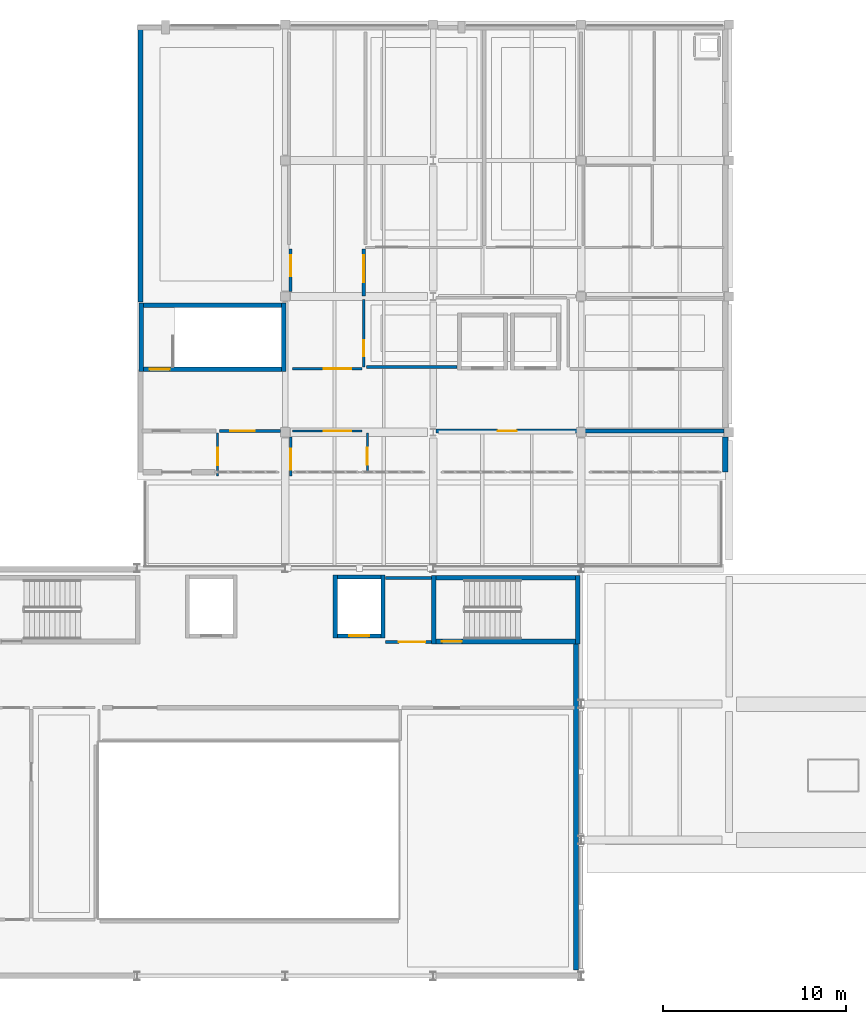
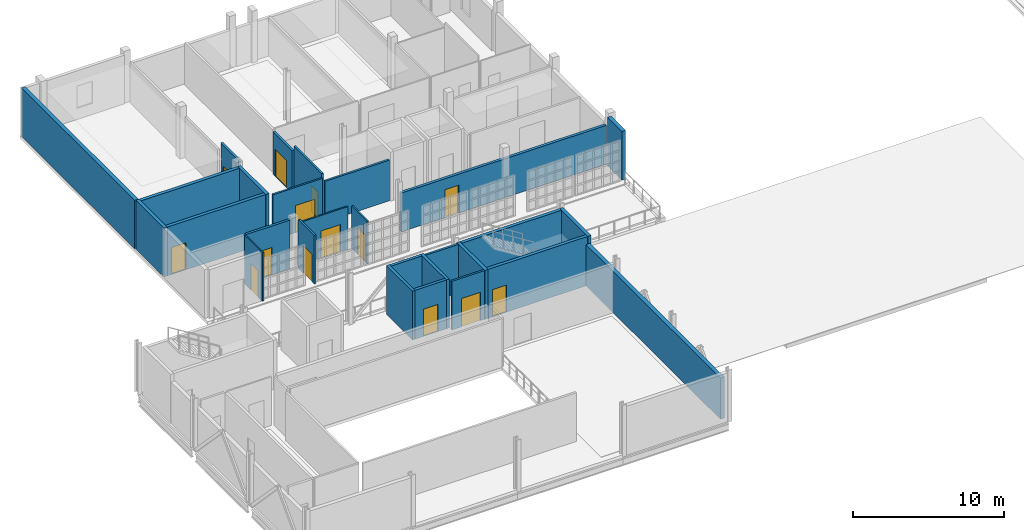
# One storey, part 19 of 25: 28 walls, 14 doors, 14 openings.
"""IFC4 building model written with IfcOpenShell, lengths in metres."""

from ifc_helpers import new_model, si_unit, direction, frame, frame_2d, origin, place, context, subcontext, project, spatial, rectangle, extrude, material, layer, layer_set, type_object, element, fill, save


model = new_model("IFC4")

# Units and contexts
model_context = context("Model", 3, precision=1e-05, world=origin(), true_north=direction((0.0, 1.0)))
body_context = subcontext(model_context, "Body", "Model", "MODEL_VIEW")
ifc_project = project(units=[si_unit("LENGTHUNIT", "METRE"), si_unit("AREAUNIT", "SQUARE_METRE"), si_unit("VOLUMEUNIT", "CUBIC_METRE"), si_unit("PLANEANGLEUNIT", "RADIAN"), si_unit("MASSUNIT", "GRAM", prefix="KILO")], contexts=[model_context])

# Site, building, storey
site_placement = place(None, origin())
site = spatial("IfcSite", under=ifc_project, at=site_placement, CompositionType="ELEMENT")
building_placement = place(site_placement, origin())
building = spatial("IfcBuilding", under=site, at=building_placement, Name="Kaelora Sail Theatre", CompositionType="ELEMENT")
storey_placement = place(building_placement, frame((0.0, 0.0, 19.199951171875)))
storey = spatial("IfcBuildingStorey", under=building, at=storey_placement, Name="L04", CompositionType="ELEMENT", Elevation=19.199951171875)

# Wall, opening, door
ifc_material_1 = material(Name="Concrete C40/50", Category="concrete")
ifc_layer_1 = layer(ifc_material_1, 0.25)
ifc_layer_set_1 = layer_set([ifc_layer_1], Name="Concrete C40/50")
wall_type_1 = type_object("IfcWallType", Name="ARC-WL-CW-250", PredefinedType="SHEAR", material=ifc_layer_set_1)
wall_1_placement = place(storey_placement, frame((50.2548828125, 79.324951171875, 0.0), z_axis=(0.0, 0.0, 1.0), x_axis=(1.0, 0.0, 0.0)))
wall_1 = element("IfcWall", 1, at=wall_1_placement, inside=storey, type_object=wall_type_1, Name="Stair shaft ST-K5 wall L04-S", PredefinedType="SHEAR", context=body_context, shape_type="SweptSolid", body=[
    extrude(rectangle(XDim=7.64013671875, YDim=0.25, at=frame_2d((3.820068359375, 0.0))), origin(), (0.0, 0.0, 1.0), 3.965087890625),
])
opening_1_placement = place(wall_1_placement, frame((0.320068359375, 0.0, 0.0)))
opening_1 = element("IfcOpeningElement", 2, at=opening_1_placement, cuts=wall_1, Name="Opening FD-02", PredefinedType="OPENING", context=body_context, shape_type="SweptSolid", body=[
    extrude(rectangle(XDim=1.10009765625, YDim=2.199951171875, at=frame_2d((0.550048828125, 1.10009765625))), frame((0.0, 0.135, 0.0), z_axis=(0.0, -1.0, 0.0), x_axis=(1.0, 0.0, 0.0)), (0.0, 0.0, 1.0), 0.27),
])
ifc_material_2 = material(Name="Acoustic steel single stair/lobby fire door EI 90-C", Category="steel")
door_type_1 = type_object("IfcDoorType", Name="ARC-DR-FD-02", OperationType="NOTDEFINED", PredefinedType="DOOR", material=ifc_material_2)
door_1_placement = place(opening_1_placement, origin())
door_1 = element("IfcDoor", 3, at=door_1_placement, inside=storey, type_object=door_type_1, Name="Stair ST-K5 door (L04)", OperationType="SINGLE_SWING_RIGHT", OverallHeight=2.199951171875, OverallWidth=1.10009765625, PredefinedType="DOOR", context=body_context, shape_type="SweptSolid", body=[
    extrude(rectangle(XDim=1.10009765625, YDim=2.199951171875, at=frame_2d((0.550048828125, 1.10009765625))), frame((0.0, 0.02490234375, 0.0), z_axis=(0.0, -1.0, 0.0), x_axis=(1.0, 0.0, 0.0)), (0.0, 0.0, 1.0), 0.050048828125),
])
fill(opening_1, door_1)

# Walls
wall_2_placement = place(storey_placement, frame((50.2548828125, 82.824951171875, 0.0), z_axis=(0.0, 0.0, 1.0), x_axis=(1.0, 0.0, 0.0)))
element("IfcWall", 4, at=wall_2_placement, inside=storey, type_object=wall_type_1, Name="Stair shaft ST-K5 wall L04-N", PredefinedType="SHEAR", context=body_context, shape_type="SweptSolid", body=[
    extrude(rectangle(XDim=7.64013671875, YDim=0.25, at=frame_2d((3.820068359375, 0.0))), origin(), (0.0, 0.0, 1.0), 3.965087890625),
])
for number, where, z_axis, x_axis, name in (
    (5, (50.125, 79.199951171875, 0.0), (0.0, 0.0, 1.0), (0.0, 1.0, 0.0), "Stair shaft ST-K5 wall L04-W"),
    (6, (58.02490234375, 79.199951171875, 0.0), (0.0, 0.0, 1.0), (0.0, 1.0, 0.0), "Stair shaft ST-K5 wall L04-E"),
):
    element("IfcWall", number, at=place(storey_placement, frame(where, z_axis=z_axis, x_axis=x_axis)), inside=storey, type_object=wall_type_1, Name=name, PredefinedType="SHEAR", context=body_context, shape_type="SweptSolid", body=[
        extrude(rectangle(XDim=3.75, YDim=0.25, at=frame_2d((1.875, 0.0))), origin(), (0.0, 0.0, 1.0), 3.965087890625),
    ])

# Wall, opening, door
wall_3_placement = place(storey_placement, frame((34.2548828125, 94.22509765625, 0.0), z_axis=(0.0, 0.0, 1.0), x_axis=(1.0, 0.0, 0.0)))
wall_3 = element("IfcWall", 7, at=wall_3_placement, inside=storey, type_object=wall_type_1, Name="Stair shaft ST-K2 wall L04-S", PredefinedType="SHEAR", context=body_context, shape_type="SweptSolid", body=[
    extrude(rectangle(XDim=7.5400390625, YDim=0.25, at=frame_2d((3.77001953125, 0.0))), origin(), (0.0, 0.0, 1.0), 3.965087890625),
])
opening_2_placement = place(wall_3_placement, frame((0.320068359375, 0.0, 0.0)))
opening_2 = element("IfcOpeningElement", 8, at=opening_2_placement, cuts=wall_3, Name="Opening FD-02", PredefinedType="OPENING", context=body_context, shape_type="SweptSolid", body=[
    extrude(rectangle(XDim=1.10009765625, YDim=2.199951171875, at=frame_2d((0.550048828125, 1.10009765625))), frame((0.0, 0.135, 0.0), z_axis=(0.0, -1.0, 0.0), x_axis=(1.0, 0.0, 0.0)), (0.0, 0.0, 1.0), 0.27),
])
door_2_placement = place(opening_2_placement, origin())
door_2 = element("IfcDoor", 9, at=door_2_placement, inside=storey, type_object=door_type_1, Name="Stair ST-K2 door (L04)", OperationType="SINGLE_SWING_LEFT", OverallHeight=2.199951171875, OverallWidth=1.10009765625, PredefinedType="DOOR", context=body_context, shape_type="SweptSolid", body=[
    extrude(rectangle(XDim=1.10009765625, YDim=2.199951171875, at=frame_2d((0.550048828125, 1.10009765625))), frame((0.0, 0.02490234375, 0.0), z_axis=(0.0, -1.0, 0.0), x_axis=(1.0, 0.0, 0.0)), (0.0, 0.0, 1.0), 0.050048828125),
])
fill(opening_2, door_2)

# Walls
wall_4_placement = place(storey_placement, frame((34.2548828125, 97.72509765625, 0.0), z_axis=(0.0, 0.0, 1.0), x_axis=(1.0, 0.0, 0.0)))
element("IfcWall", 10, at=wall_4_placement, inside=storey, type_object=wall_type_1, Name="Stair shaft ST-K2 wall L04-N", PredefinedType="SHEAR", context=body_context, shape_type="SweptSolid", body=[
    extrude(rectangle(XDim=7.5400390625, YDim=0.25, at=frame_2d((3.77001953125, 0.0))), origin(), (0.0, 0.0, 1.0), 3.965087890625),
])
for number, where, z_axis, x_axis, name in (
    (11, (34.125, 94.10009765625, 0.0), (0.0, 0.0, 1.0), (0.0, 1.0, 0.0), "Stair shaft ST-K2 wall L04-W"),
    (12, (41.925048828125, 94.10009765625, 0.0), (0.0, 0.0, 1.0), (0.0, 1.0, 0.0), "Stair shaft ST-K2 wall L04-E"),
):
    element("IfcWall", number, at=place(storey_placement, frame(where, z_axis=z_axis, x_axis=x_axis)), inside=storey, type_object=wall_type_1, Name=name, PredefinedType="SHEAR", context=body_context, shape_type="SweptSolid", body=[
        extrude(rectangle(XDim=3.75, YDim=0.25, at=frame_2d((1.875, 0.0))), origin(), (0.0, 0.0, 1.0), 3.965087890625),
    ])
ifc_material_3 = material(Name="Precast concrete C45/55", Category="concrete")
ifc_layer_2 = layer(ifc_material_3, 0.280029296875)
ifc_layer_set_2 = layer_set([ifc_layer_2], Name="Precast concrete C45/55")
wall_type_2 = type_object("IfcWallType", Name="ARC-WL-EW-280", PredefinedType="SOLIDWALL", material=ifc_layer_set_2)
wall_5_placement = place(storey_placement, frame((34.080078125, 97.89990234375, 0.0), z_axis=(0.0, 0.0, 1.0), x_axis=(0.0, 1.0, 0.0)))
element("IfcWall", 13, at=wall_5_placement, inside=storey, type_object=wall_type_2, Name="Stepped Wing Facade Wall STEP-NW2-WN-L04", PredefinedType="SOLIDWALL", context=body_context, shape_type="SweptSolid", body=[
    extrude(rectangle(XDim=15.050048828125, YDim=0.280029296875, at=frame_2d((7.52490234375, 0.0))), origin(), (0.0, 0.0, 1.0), 3.945068359375),
])
wall_6_placement = place(storey_placement, frame((66.090087890625, 88.60009765625, 0.0), z_axis=(0.0, 0.0, 1.0), x_axis=(0.0, 1.0, 0.0)))
element("IfcWall", 14, at=wall_6_placement, inside=storey, type_object=wall_type_2, Name="Stepped Wing Facade Wall STEP-NW2-E-L04-S1", PredefinedType="SOLIDWALL", context=body_context, shape_type="SweptSolid", body=[
    extrude(rectangle(XDim=1.9248046875, YDim=0.280029296875, at=frame_2d((0.96240234375, 0.0))), origin(), (0.0, 0.0, 1.0), 3.945068359375),
])
ifc_material_4 = material(Name="Concrete C40/50", Category="concrete")
ifc_layer_3 = layer(ifc_material_4, 0.300048828125)
ifc_layer_set_3 = layer_set([ifc_layer_3], Name="Concrete C40/50")
wall_type_3 = type_object("IfcWallType", Name="ARC-WL-EW-300", PredefinedType="SOLIDWALL", material=ifc_layer_set_3)
wall_7_placement = place(storey_placement, frame((57.919921875, 61.35009765625, 0.0), z_axis=(0.0, 0.0, 1.0), x_axis=(0.0, 1.0, 0.0)))
element("IfcWall", 15, at=wall_7_placement, inside=storey, type_object=wall_type_3, Name="Fly Tower East Acoustic Stage-House Wall (L04)", PredefinedType="SOLIDWALL", context=body_context, shape_type="SweptSolid", body=[
    extrude(rectangle(XDim=17.949951171875, YDim=0.300048828125, at=frame_2d((8.97509765625, 0.0))), origin(), (0.0, 0.0, 1.0), 3.344970703125),
])

# Wall, opening, door
ifc_material_5 = material(Name="Demountable acoustic studio wall 150 mm", Category="timber")
ifc_layer_4 = layer(ifc_material_5, 0.14990234375)
ifc_layer_set_4 = layer_set([ifc_layer_4], Name="Demountable acoustic studio wall 150 mm")
wall_type_4 = type_object("IfcWallType", Name="ARC-WL-MV-150", PredefinedType="MOVABLE", material=ifc_layer_set_4)
wall_8_placement = place(storey_placement, frame((47.5, 79.300048828125, 0.0), z_axis=(0.0, 0.0, 1.0), x_axis=(1.0, 0.0, 0.0)))
wall_8 = element("IfcWall", 16, at=wall_8_placement, inside=storey, type_object=wall_type_4, Name="Interior acoustic partition L04-COR-FLY/L04-CUE-STO", PredefinedType="MOVABLE", context=body_context, shape_type="SweptSolid", body=[
    extrude(rectangle(XDim=2.5, YDim=0.14990234375, at=frame_2d((1.25, 0.0))), origin(), (0.0, 0.0, 1.0), 3.945068359375),
])
opening_3_placement = place(wall_8_placement, frame((0.72998046875, 0.0, 0.0)))
opening_3 = element("IfcOpeningElement", 17, at=opening_3_placement, cuts=wall_8, Name="Opening ID-12", PredefinedType="OPENING", context=body_context, shape_type="SweptSolid", body=[
    extrude(rectangle(XDim=1.449951171875, YDim=2.300048828125, at=frame_2d((0.72509765625, 1.14990234375))), frame((0.0, 0.084951, 0.0), z_axis=(0.0, -1.0, 0.0), x_axis=(1.0, 0.0, 0.0)), (0.0, 0.0, 1.0), 0.169902),
])
ifc_material_6 = material(Name="Orchestra warm-up acoustic double door", Category="steel")
door_type_2 = type_object("IfcDoorType", Name="ARC-DR-ID-12", OperationType="NOTDEFINED", PredefinedType="DOOR", material=ifc_material_6)
door_3_placement = place(opening_3_placement, origin())
door_3 = element("IfcDoor", 18, at=door_3_placement, inside=storey, type_object=door_type_2, Name="Interior door L04-COR-FLY to L04-CUE-STO", OperationType="DOUBLE_DOOR_SINGLE_SWING", OverallHeight=2.300048828125, OverallWidth=1.449951171875, PredefinedType="DOOR", context=body_context, shape_type="SweptSolid", body=[
    extrude(rectangle(XDim=1.449951171875, YDim=2.300048828125, at=frame_2d((0.72509765625, 1.14990234375))), frame((0.0, 0.02490234375, 0.0), z_axis=(0.0, -1.0, 0.0), x_axis=(1.0, 0.0, 0.0)), (0.0, 0.0, 1.0), 0.050048828125),
])
fill(opening_3, door_3)

wall_9_placement = place(storey_placement, frame((42.300048828125, 88.39990234375, 0.0), z_axis=(0.0, 0.0, 1.0), x_axis=(0.0, 1.0, 0.0)))
wall_9 = element("IfcWall", 19, at=wall_9_placement, inside=storey, type_object=wall_type_4, Name="Interior acoustic partition L04-COR-NLINKW/L04-DRAM-OFC", PredefinedType="MOVABLE", context=body_context, shape_type="SweptSolid", body=[
    extrude(rectangle(XDim=2.125, YDim=0.14990234375, at=frame_2d((1.0625, 0.0))), origin(), (0.0, 0.0, 1.0), 3.945068359375),
])
opening_4_placement = place(wall_9_placement, frame((0.320068359375, 0.0, 0.0)))
opening_4 = element("IfcOpeningElement", 20, at=opening_4_placement, cuts=wall_9, Name="Opening ID-07", PredefinedType="OPENING", context=body_context, shape_type="SweptSolid", body=[
    extrude(rectangle(XDim=1.14990234375, YDim=2.25, at=frame_2d((0.574951171875, 1.125))), frame((0.0, 0.084951, 0.0), z_axis=(0.0, -1.0, 0.0), x_axis=(1.0, 0.0, 0.0)), (0.0, 0.0, 1.0), 0.169902),
])
ifc_material_7 = material(Name="Chorus ensemble wide single door", Category="steel")
door_type_3 = type_object("IfcDoorType", Name="ARC-DR-ID-07", OperationType="NOTDEFINED", PredefinedType="DOOR", material=ifc_material_7)
door_4_placement = place(opening_4_placement, origin())
door_4 = element("IfcDoor", 21, at=door_4_placement, inside=storey, type_object=door_type_3, Name="Interior door L04-COR-NLINKW to L04-DRAM-OFC", OperationType="SINGLE_SWING_LEFT", OverallHeight=2.25, OverallWidth=1.14990234375, PredefinedType="DOOR", context=body_context, shape_type="SweptSolid", body=[
    extrude(rectangle(XDim=1.14990234375, YDim=2.25, at=frame_2d((0.574951171875, 1.125))), frame((0.0, 0.02490234375, 0.0), z_axis=(0.0, -1.0, 0.0), x_axis=(1.0, 0.0, 0.0)), (0.0, 0.0, 1.0), 0.050048828125),
])
fill(opening_4, door_4)

ifc_material_8 = material(Name="Office acoustic stud partition 110 mm", Category="gypsum")
ifc_layer_5 = layer(ifc_material_8, 0.110107421875)
ifc_layer_set_5 = layer_set([ifc_layer_5], Name="Office acoustic stud partition 110 mm")
wall_type_5 = type_object("IfcWallType", Name="ARC-WL-PT-110", PredefinedType="PARTITIONING", material=ifc_layer_set_5)
wall_10_placement = place(storey_placement, frame((46.5, 88.669921875, 0.0), z_axis=(0.0, 0.0, 1.0), x_axis=(0.0, 1.0, 0.0)))
wall_10 = element("IfcWall", 22, at=wall_10_placement, inside=storey, type_object=wall_type_5, Name="Interior acoustic partition L04-COR-NLINKW/L04-TER-SALON", PredefinedType="PARTITIONING", context=body_context, shape_type="SweptSolid", body=[
    extrude(rectangle(XDim=2.080078125, YDim=0.110107421875, at=frame_2d((1.0400390625, 0.0))), origin(), (0.0, 0.0, 1.0), 3.447021484375),
])
opening_5_placement = place(wall_10_placement, frame((0.320068359375, 0.0, 0.0)))
opening_5 = element("IfcOpeningElement", 23, at=opening_5_placement, cuts=wall_10, Name="Opening ID-02", PredefinedType="OPENING", context=body_context, shape_type="SweptSolid", body=[
    extrude(rectangle(XDim=0.949951171875, YDim=2.14990234375, at=frame_2d((0.47509765625, 1.074951171875))), frame((0.0, 0.065176, 0.0), z_axis=(0.0, -1.0, 0.0), x_axis=(1.0, 0.0, 0.0)), (0.0, 0.0, 1.0), 0.130107),
])
ifc_material_9 = material(Name="Timber dressing and office single door", Category="wood")
door_type_4 = type_object("IfcDoorType", Name="ARC-DR-ID-02", OperationType="NOTDEFINED", PredefinedType="DOOR", material=ifc_material_9)
door_5_placement = place(opening_5_placement, origin())
door_5 = element("IfcDoor", 24, at=door_5_placement, inside=storey, type_object=door_type_4, Name="Interior door L04-COR-NLINKW to L04-TER-SALON", OperationType="SINGLE_SWING_LEFT", OverallHeight=2.14990234375, OverallWidth=0.949951171875, PredefinedType="DOOR", context=body_context, shape_type="SweptSolid", body=[
    extrude(rectangle(XDim=0.949951171875, YDim=2.14990234375, at=frame_2d((0.47509765625, 1.074951171875))), frame((0.0, 0.02490234375, 0.0), z_axis=(0.0, -1.0, 0.0), x_axis=(1.0, 0.0, 0.0)), (0.0, 0.0, 1.0), 0.050048828125),
])
fill(opening_5, door_5)

wall_11_placement = place(storey_placement, frame((38.300048828125, 88.39990234375, 0.0), z_axis=(0.0, 0.0, 1.0), x_axis=(0.0, 1.0, 0.0)))
wall_11 = element("IfcWall", 25, at=wall_11_placement, inside=storey, type_object=wall_type_5, Name="Interior acoustic partition L04-COR-TER5/L04-DRAM-OFC", PredefinedType="PARTITIONING", context=body_context, shape_type="SweptSolid", body=[
    extrude(rectangle(XDim=2.35009765625, YDim=0.110107421875, at=frame_2d((1.175048828125, 0.0))), origin(), (0.0, 0.0, 1.0), 3.945068359375),
])
opening_6_placement = place(wall_11_placement, frame((0.580078125, 0.0, 0.0)))
opening_6 = element("IfcOpeningElement", 26, at=opening_6_placement, cuts=wall_11, Name="Opening ID-02", PredefinedType="OPENING", context=body_context, shape_type="SweptSolid", body=[
    extrude(rectangle(XDim=0.949951171875, YDim=2.14990234375, at=frame_2d((0.47509765625, 1.074951171875))), frame((0.0, 0.065176, 0.0), z_axis=(0.0, -1.0, 0.0), x_axis=(1.0, 0.0, 0.0)), (0.0, 0.0, 1.0), 0.130107),
])
door_6_placement = place(opening_6_placement, origin())
door_6 = element("IfcDoor", 27, at=door_6_placement, inside=storey, type_object=door_type_4, Name="Interior door L04-COR-TER5 to L04-DRAM-OFC", OperationType="SINGLE_SWING_RIGHT", OverallHeight=2.14990234375, OverallWidth=0.949951171875, PredefinedType="DOOR", context=body_context, shape_type="SweptSolid", body=[
    extrude(rectangle(XDim=0.949951171875, YDim=2.14990234375, at=frame_2d((0.47509765625, 1.074951171875))), frame((0.0, 0.02490234375, 0.0), z_axis=(0.0, -1.0, 0.0), x_axis=(1.0, 0.0, 0.0)), (0.0, 0.0, 1.0), 0.050048828125),
])
fill(opening_6, door_6)

ifc_material_10 = material(Name="Standard metal-stud partition 120 mm", Category="gypsum")
ifc_layer_6 = layer(ifc_material_10, 0.1201171875)
ifc_layer_set_6 = layer_set([ifc_layer_6], Name="Standard metal-stud partition 120 mm")
wall_type_6 = type_object("IfcWallType", Name="ARC-WL-PT-120", PredefinedType="PARTITIONING", material=ifc_layer_set_6)
wall_12_placement = place(storey_placement, frame((42.39990234375, 90.85009765625, 0.0), z_axis=(0.0, 0.0, 1.0), x_axis=(1.0, 0.0, 0.0)))
wall_12 = element("IfcWall", 28, at=wall_12_placement, inside=storey, type_object=wall_type_6, Name="Interior acoustic partition L04-COR-NLINKW/L04-COR-ADMIN", PredefinedType="PARTITIONING", context=body_context, shape_type="SweptSolid", body=[
    extrude(rectangle(XDim=3.800048828125, YDim=0.1201171875, at=frame_2d((1.89990234375, 0.0))), origin(), (0.0, 0.0, 1.0), 3.447021484375),
])
opening_7_placement = place(wall_12_placement, frame((1.719970703125, 0.0, 0.0)))
opening_7 = element("IfcOpeningElement", 29, at=opening_7_placement, cuts=wall_12, Name="Opening FD-01", PredefinedType="OPENING", context=body_context, shape_type="SweptSolid", body=[
    extrude(rectangle(XDim=1.5, YDim=2.199951171875, at=frame_2d((0.75, 1.10009765625))), frame((0.0, 0.070059, 0.0), z_axis=(0.0, -1.0, 0.0), x_axis=(1.0, 0.0, 0.0)), (0.0, 0.0, 1.0), 0.140117),
])
ifc_material_11 = material(Name="Acoustic steel double fire door EI 90-C", Category="steel")
door_type_5 = type_object("IfcDoorType", Name="ARC-DR-FD-01", OperationType="NOTDEFINED", PredefinedType="DOOR", material=ifc_material_11)
door_7_placement = place(opening_7_placement, origin())
door_7 = element("IfcDoor", 30, at=door_7_placement, inside=storey, type_object=door_type_5, Name="Interior door L04-COR-NLINKW to L04-COR-ADMIN", OperationType="DOUBLE_DOOR_SINGLE_SWING", OverallHeight=2.199951171875, OverallWidth=1.5, PredefinedType="DOOR", context=body_context, shape_type="SweptSolid", body=[
    extrude(rectangle(XDim=1.5, YDim=2.199951171875, at=frame_2d((0.75, 1.10009765625))), frame((0.0, 0.02490234375, 0.0), z_axis=(0.0, -1.0, 0.0), x_axis=(1.0, 0.0, 0.0)), (0.0, 0.0, 1.0), 0.050048828125),
])
fill(opening_7, door_7)

ifc_material_12 = material(Name="Dressing room acoustic partition 130 mm", Category="gypsum")
ifc_layer_7 = layer(ifc_material_12, 0.1298828125)
ifc_layer_set_7 = layer_set([ifc_layer_7], Name="Dressing room acoustic partition 130 mm")
wall_type_7 = type_object("IfcWallType", Name="ARC-WL-PT-130", PredefinedType="PARTITIONING", material=ifc_layer_set_7)
wall_13_placement = place(storey_placement, frame((46.300048828125, 94.35009765625, 0.0), z_axis=(0.0, 0.0, 1.0), x_axis=(0.0, 1.0, 0.0)))
wall_13 = element("IfcWall", 31, at=wall_13_placement, inside=storey, type_object=wall_type_7, Name="Interior acoustic partition L04-PRESS-STU/L04-COR-SP2", PredefinedType="PARTITIONING", context=body_context, shape_type="SweptSolid", body=[
    extrude(rectangle(XDim=3.699951171875, YDim=0.1298828125, at=frame_2d((1.85009765625, 0.0))), origin(), (0.0, 0.0, 1.0), 3.945068359375),
])
opening_8_placement = place(wall_13_placement, frame((0.580078125, 0.0, 0.0)))
opening_8 = element("IfcOpeningElement", 32, at=opening_8_placement, cuts=wall_13, Name="Opening ID-03", PredefinedType="OPENING", context=body_context, shape_type="SweptSolid", body=[
    extrude(rectangle(XDim=0.89990234375, YDim=2.10009765625, at=frame_2d((0.449951171875, 1.050048828125))), frame((0.0, 0.074941, 0.0), z_axis=(0.0, -1.0, 0.0), x_axis=(1.0, 0.0, 0.0)), (0.0, 0.0, 1.0), 0.149883),
])
ifc_material_13 = material(Name="Accessible sanitary laminate door", Category="timber")
door_type_6 = type_object("IfcDoorType", Name="ARC-DR-ID-03", OperationType="NOTDEFINED", PredefinedType="DOOR", material=ifc_material_13)
door_8_placement = place(opening_8_placement, origin())
door_8 = element("IfcDoor", 33, at=door_8_placement, inside=storey, type_object=door_type_6, Name="Interior door L04-PRESS-STU to L04-COR-SP2", OperationType="SINGLE_SWING_RIGHT", OverallHeight=2.10009765625, OverallWidth=0.89990234375, PredefinedType="DOOR", context=body_context, shape_type="SweptSolid", body=[
    extrude(rectangle(XDim=0.89990234375, YDim=2.10009765625, at=frame_2d((0.449951171875, 1.050048828125))), frame((0.0, 0.02490234375, 0.0), z_axis=(0.0, -1.0, 0.0), x_axis=(1.0, 0.0, 0.0)), (0.0, 0.0, 1.0), 0.050048828125),
])
fill(opening_8, door_8)

ifc_material_14 = material(Name="Fire-rated stud partition 140 mm", Category="gypsum")
ifc_layer_8 = layer(ifc_material_14, 0.139892578125)
ifc_layer_set_8 = layer_set([ifc_layer_8], Name="Fire-rated stud partition 140 mm")
wall_type_8 = type_object("IfcWallType", Name="ARC-WL-PT-140", PredefinedType="PARTITIONING", material=ifc_layer_set_8)
wall_14_placement = place(storey_placement, frame((42.39990234375, 94.25, 0.0), z_axis=(0.0, 0.0, 1.0), x_axis=(1.0, 0.0, 0.0)))
wall_14 = element("IfcWall", 34, at=wall_14_placement, inside=storey, type_object=wall_type_8, Name="Interior acoustic partition L04-COR-ADMIN/L04-COR-SP2", PredefinedType="PARTITIONING", context=body_context, shape_type="SweptSolid", body=[
    extrude(rectangle(XDim=3.800048828125, YDim=0.139892578125, at=frame_2d((1.89990234375, 0.0))), origin(), (0.0, 0.0, 1.0), 3.677001953125),
])
opening_9_placement = place(wall_14_placement, frame((1.719970703125, 0.0, 0.0)))
opening_9 = element("IfcOpeningElement", 35, at=opening_9_placement, cuts=wall_14, Name="Opening FD-01", PredefinedType="OPENING", context=body_context, shape_type="SweptSolid", body=[
    extrude(rectangle(XDim=1.5, YDim=2.199951171875, at=frame_2d((0.75, 1.10009765625))), frame((0.0, 0.079824, 0.0), z_axis=(0.0, -1.0, 0.0), x_axis=(1.0, 0.0, 0.0)), (0.0, 0.0, 1.0), 0.159893),
])
door_9_placement = place(opening_9_placement, origin())
door_9 = element("IfcDoor", 36, at=door_9_placement, inside=storey, type_object=door_type_5, Name="Interior door L04-COR-ADMIN to L04-COR-SP2", OperationType="DOUBLE_DOOR_SINGLE_SWING", OverallHeight=2.199951171875, OverallWidth=1.5, PredefinedType="DOOR", context=body_context, shape_type="SweptSolid", body=[
    extrude(rectangle(XDim=1.5, YDim=2.199951171875, at=frame_2d((0.75, 1.10009765625))), frame((0.0, 0.02490234375, 0.0), z_axis=(0.0, -1.0, 0.0), x_axis=(1.0, 0.0, 0.0)), (0.0, 0.0, 1.0), 0.050048828125),
])
fill(opening_9, door_9)

# Walls
ifc_material_15 = material(Name="Acoustic metal-stud plasterboard 160 mm", Category="gypsum")
ifc_layer_9 = layer(ifc_material_15, 0.159912109375)
ifc_layer_set_9 = layer_set([ifc_layer_9], Name="Acoustic metal-stud plasterboard 160 mm")
wall_type_9 = type_object("IfcWallType", Name="ARC-WL-PT-160", PredefinedType="PARTITIONING", material=ifc_layer_set_9)
wall_15_placement = place(storey_placement, frame((47.5, 82.800048828125, 0.0), z_axis=(0.0, 0.0, 1.0), x_axis=(1.0, 0.0, 0.0)))
element("IfcWall", 37, at=wall_15_placement, inside=storey, type_object=wall_type_9, Name="Room enclosure wall L04-CUE-STO-N1", PredefinedType="PARTITIONING", context=body_context, shape_type="SweptSolid", body=[
    extrude(rectangle(XDim=2.5, YDim=0.159912109375, at=frame_2d((1.25, 0.0))), origin(), (0.0, 0.0, 1.0), 3.945068359375),
])
wall_16_placement = place(storey_placement, frame((46.449951171875, 94.35009765625, 0.0), z_axis=(0.0, 0.0, 1.0), x_axis=(1.0, 0.0, 0.0)))
element("IfcWall", 38, at=wall_16_placement, inside=storey, type_object=wall_type_9, Name="Room enclosure wall L04-PRESS-STU-S1", PredefinedType="PARTITIONING", context=body_context, shape_type="SweptSolid", body=[
    extrude(rectangle(XDim=4.949951171875, YDim=0.159912109375, at=frame_2d((2.47509765625, 0.0))), origin(), (0.0, 0.0, 1.0), 3.297119140625),
])

# Wall, opening, door
ifc_material_16 = material(Name="Workshop acoustic stud partition 170 mm", Category="gypsum")
ifc_layer_10 = layer(ifc_material_16, 0.169921875)
ifc_layer_set_10 = layer_set([ifc_layer_10], Name="Workshop acoustic stud partition 170 mm")
wall_type_10 = type_object("IfcWallType", Name="ARC-WL-PT-170", PredefinedType="PARTITIONING", material=ifc_layer_set_10)
wall_17_placement = place(storey_placement, frame((42.300048828125, 98.47509765625, 0.0), z_axis=(0.0, 0.0, 1.0), x_axis=(0.0, 1.0, 0.0)))
wall_17 = element("IfcWall", 39, at=wall_17_placement, inside=storey, type_object=wall_type_10, Name="Interior acoustic partition L04-COR-SP2/L04-ART-DIR", PredefinedType="PARTITIONING", context=body_context, shape_type="SweptSolid", body=[
    extrude(rectangle(XDim=2.324951171875, YDim=0.169921875, at=frame_2d((1.16259765625, 0.0))), origin(), (0.0, 0.0, 1.0), 3.945068359375),
])
opening_10_placement = place(wall_17_placement, frame((0.85498046875, 0.0, 0.0)))
opening_10 = element("IfcOpeningElement", 40, at=opening_10_placement, cuts=wall_17, Name="Opening ID-07", PredefinedType="OPENING", context=body_context, shape_type="SweptSolid", body=[
    extrude(rectangle(XDim=1.14990234375, YDim=2.25, at=frame_2d((0.574951171875, 1.125))), frame((0.0, 0.094961, 0.0), z_axis=(0.0, -1.0, 0.0), x_axis=(1.0, 0.0, 0.0)), (0.0, 0.0, 1.0), 0.189922),
])
door_10_placement = place(opening_10_placement, origin())
door_10 = element("IfcDoor", 41, at=door_10_placement, inside=storey, type_object=door_type_3, Name="Interior door L04-COR-SP2 to L04-ART-DIR", OperationType="SINGLE_SWING_LEFT", OverallHeight=2.25, OverallWidth=1.14990234375, PredefinedType="DOOR", context=body_context, shape_type="SweptSolid", body=[
    extrude(rectangle(XDim=1.14990234375, YDim=2.25, at=frame_2d((0.574951171875, 1.125))), frame((0.0, 0.02490234375, 0.0), z_axis=(0.0, -1.0, 0.0), x_axis=(1.0, 0.0, 0.0)), (0.0, 0.0, 1.0), 0.050048828125),
])
fill(opening_10, door_10)

ifc_material_17 = material(Name="Rehearsal double-stud partition 185 mm", Category="gypsum")
ifc_layer_11 = layer(ifc_material_17, 0.18505859375)
ifc_layer_set_11 = layer_set([ifc_layer_11], Name="Rehearsal double-stud partition 185 mm")
wall_type_11 = type_object("IfcWallType", Name="ARC-WL-PT-185", PredefinedType="PARTITIONING", material=ifc_layer_set_11)
wall_18_placement = place(storey_placement, frame((38.39990234375, 90.85009765625, 0.0), z_axis=(0.0, 0.0, 1.0), x_axis=(1.0, 0.0, 0.0)))
wall_18 = element("IfcWall", 42, at=wall_18_placement, inside=storey, type_object=wall_type_11, Name="Interior acoustic partition L04-COR-ADMIN/L04-DRAM-OFC", PredefinedType="PARTITIONING", context=body_context, shape_type="SweptSolid", body=[
    extrude(rectangle(XDim=3.34521484375, YDim=0.18505859375, at=frame_2d((1.672607421875, 0.0))), origin(), (0.0, 0.0, 1.0), 3.945068359375),
])
opening_11_placement = place(wall_18_placement, frame((0.580078125, 0.0, 0.0)))
opening_11 = element("IfcOpeningElement", 43, at=opening_11_placement, cuts=wall_18, Name="Opening ID-08", PredefinedType="OPENING", context=body_context, shape_type="SweptSolid", body=[
    extrude(rectangle(XDim=1.35009765625, YDim=2.199951171875, at=frame_2d((0.675048828125, 1.10009765625))), frame((0.0, 0.102529, 0.0), z_axis=(0.0, -1.0, 0.0), x_axis=(1.0, 0.0, 0.0)), (0.0, 0.0, 1.0), 0.205059),
])
ifc_material_18 = material(Name="Instrument & libretto leaf-and-a-half door", Category="steel")
door_type_7 = type_object("IfcDoorType", Name="ARC-DR-ID-08", OperationType="NOTDEFINED", PredefinedType="DOOR", material=ifc_material_18)
door_11_placement = place(opening_11_placement, origin())
door_11 = element("IfcDoor", 44, at=door_11_placement, inside=storey, type_object=door_type_7, Name="Interior door L04-COR-ADMIN to L04-DRAM-OFC", OperationType="SINGLE_SWING_LEFT", OverallHeight=2.199951171875, OverallWidth=1.35009765625, PredefinedType="DOOR", context=body_context, shape_type="SweptSolid", body=[
    extrude(rectangle(XDim=1.35009765625, YDim=2.199951171875, at=frame_2d((0.675048828125, 1.10009765625))), frame((0.0, 0.02490234375, 0.0), z_axis=(0.0, -1.0, 0.0), x_axis=(1.0, 0.0, 0.0)), (0.0, 0.0, 1.0), 0.050048828125),
])
fill(opening_11, door_11)

wall_19_placement = place(storey_placement, frame((46.300048828125, 98.25, 0.0), z_axis=(0.0, 0.0, 1.0), x_axis=(0.0, 1.0, 0.0)))
wall_19 = element("IfcWall", 45, at=wall_19_placement, inside=storey, type_object=wall_type_11, Name="Interior acoustic partition L04-COR-SP2/L04-COR-SP2E", PredefinedType="PARTITIONING", context=body_context, shape_type="SweptSolid", body=[
    extrude(rectangle(XDim=2.550048828125, YDim=0.18505859375, at=frame_2d((1.27490234375, 0.0))), origin(), (0.0, 0.0, 1.0), 3.447021484375),
])
opening_12_placement = place(wall_19_placement, frame((0.72998046875, 0.0, 0.0)))
opening_12 = element("IfcOpeningElement", 46, at=opening_12_placement, cuts=wall_19, Name="Opening FD-01", PredefinedType="OPENING", context=body_context, shape_type="SweptSolid", body=[
    extrude(rectangle(XDim=1.5, YDim=2.199951171875, at=frame_2d((0.75, 1.10009765625))), frame((0.0, 0.102529, 0.0), z_axis=(0.0, -1.0, 0.0), x_axis=(1.0, 0.0, 0.0)), (0.0, 0.0, 1.0), 0.205059),
])
door_12_placement = place(opening_12_placement, origin())
door_12 = element("IfcDoor", 47, at=door_12_placement, inside=storey, type_object=door_type_5, Name="Interior door L04-COR-SP2 to L04-COR-SP2E", OperationType="DOUBLE_DOOR_SINGLE_SWING", OverallHeight=2.199951171875, OverallWidth=1.5, PredefinedType="DOOR", context=body_context, shape_type="SweptSolid", body=[
    extrude(rectangle(XDim=1.5, YDim=2.199951171875, at=frame_2d((0.75, 1.10009765625))), frame((0.0, 0.02490234375, 0.0), z_axis=(0.0, -1.0, 0.0), x_axis=(1.0, 0.0, 0.0)), (0.0, 0.0, 1.0), 0.050048828125),
])
fill(opening_12, door_12)

ifc_material_19 = material(Name="Studio box-in-box acoustic partition 215 mm", Category="gypsum")
ifc_layer_12 = layer(ifc_material_19, 0.215087890625)
ifc_layer_set_12 = layer_set([ifc_layer_12], Name="Studio box-in-box acoustic partition 215 mm")
wall_type_12 = type_object("IfcWallType", Name="ARC-WL-PT-215", PredefinedType="PARTITIONING", material=ifc_layer_set_12)
wall_20_placement = place(storey_placement, frame((50.2548828125, 90.85009765625, 0.0), z_axis=(0.0, 0.0, 1.0), x_axis=(1.0, 0.0, 0.0)))
wall_20 = element("IfcWall", 48, at=wall_20_placement, inside=storey, type_object=wall_type_12, Name="Interior acoustic partition L04-COR-ADMIN/L04-TER-SALON", PredefinedType="PARTITIONING", context=body_context, shape_type="SweptSolid", body=[
    extrude(rectangle(XDim=15.755126953125, YDim=0.215087890625, at=frame_2d((7.87744140625, 0.0))), origin(), (0.0, 0.0, 1.0), 3.14697265625),
])
opening_13_placement = place(wall_20_placement, frame((3.368896484375, 0.0, 0.0)))
opening_13 = element("IfcOpeningElement", 49, at=opening_13_placement, cuts=wall_20, Name="Opening ID-06", PredefinedType="OPENING", context=body_context, shape_type="SweptSolid", body=[
    extrude(rectangle(XDim=1.050048828125, YDim=2.25, at=frame_2d((0.52490234375, 1.125))), frame((0.0, 0.117422, 0.0), z_axis=(0.0, -1.0, 0.0), x_axis=(1.0, 0.0, 0.0)), (0.0, 0.0, 1.0), 0.235088),
])
ifc_material_20 = material(Name="Soloist dressing acoustic timber door", Category="wood")
door_type_8 = type_object("IfcDoorType", Name="ARC-DR-ID-06", OperationType="NOTDEFINED", PredefinedType="DOOR", material=ifc_material_20)
door_13_placement = place(opening_13_placement, origin())
door_13 = element("IfcDoor", 50, at=door_13_placement, inside=storey, type_object=door_type_8, Name="Interior door L04-COR-ADMIN to L04-TER-SALON", OperationType="SINGLE_SWING_RIGHT", OverallHeight=2.25, OverallWidth=1.050048828125, PredefinedType="DOOR", context=body_context, shape_type="SweptSolid", body=[
    extrude(rectangle(XDim=1.050048828125, YDim=2.25, at=frame_2d((0.52490234375, 1.125))), frame((0.0, 0.02490234375, 0.0), z_axis=(0.0, -1.0, 0.0), x_axis=(1.0, 0.0, 0.0)), (0.0, 0.0, 1.0), 0.050048828125),
])
fill(opening_13, door_13)

ifc_material_21 = material(Name="Concrete C40/50", Category="concrete")
ifc_layer_13 = layer(ifc_material_21, 0.219970703125)
ifc_layer_set_13 = layer_set([ifc_layer_13], Name="Concrete C40/50")
wall_type_13 = type_object("IfcWallType", Name="ARC-WL-SW-220", PredefinedType="SOLIDWALL", material=ifc_layer_set_13)
wall_21_placement = place(storey_placement, frame((44.85009765625, 79.639892578125, 0.0), z_axis=(0.0, 0.0, 1.0), x_axis=(1.0, 0.0, 0.0)))
wall_21 = element("IfcWall", 51, at=wall_21_placement, inside=storey, type_object=wall_type_13, Name="Lift FFL-02 shaft wall L04-S", PredefinedType="SOLIDWALL", context=body_context, shape_type="SweptSolid", body=[
    extrude(rectangle(XDim=2.39990234375, YDim=0.219970703125, at=frame_2d((1.199951171875, 0.0))), origin(), (0.0, 0.0, 1.0), 3.965087890625),
])
opening_14_placement = place(wall_21_placement, frame((0.64990234375, 0.0, 0.0)))
opening_14 = element("IfcOpeningElement", 52, at=opening_14_placement, cuts=wall_21, Name="Opening LD-FFL", PredefinedType="OPENING", context=body_context, shape_type="SweptSolid", body=[
    extrude(rectangle(XDim=1.10009765625, YDim=2.199951171875, at=frame_2d((0.550048828125, 1.10009765625))), frame((0.0, 0.119863, 0.0), z_axis=(0.0, -1.0, 0.0), x_axis=(1.0, 0.0, 0.0)), (0.0, 0.0, 1.0), 0.239971),
])
ifc_material_22 = material(Name="Stainless steel firefighting lift landing door EI 120", Category="steel")
door_type_9 = type_object("IfcDoorType", Name="ARC-DR-LD-FFL", OperationType="NOTDEFINED", PredefinedType="DOOR", material=ifc_material_22)
door_14_placement = place(opening_14_placement, origin())
door_14 = element("IfcDoor", 53, at=door_14_placement, inside=storey, type_object=door_type_9, Name="Lift FFL-02 sliding landing door (L04)", OperationType="SLIDING_TO_LEFT", OverallHeight=2.199951171875, OverallWidth=1.10009765625, PredefinedType="DOOR", context=body_context, shape_type="SweptSolid", body=[
    extrude(rectangle(XDim=1.10009765625, YDim=2.199951171875, at=frame_2d((0.550048828125, 1.10009765625))), frame((0.0, 0.02490234375, 0.0), z_axis=(0.0, -1.0, 0.0), x_axis=(1.0, 0.0, 0.0)), (0.0, 0.0, 1.0), 0.050048828125),
])
fill(opening_14, door_14)

# Walls
wall_22_placement = place(storey_placement, frame((44.85009765625, 82.860107421875, 0.0), z_axis=(0.0, 0.0, 1.0), x_axis=(1.0, 0.0, 0.0)))
element("IfcWall", 54, at=wall_22_placement, inside=storey, type_object=wall_type_13, Name="Lift FFL-02 shaft wall L04-N", PredefinedType="SOLIDWALL", context=body_context, shape_type="SweptSolid", body=[
    extrude(rectangle(XDim=2.39990234375, YDim=0.219970703125, at=frame_2d((1.199951171875, 0.0))), origin(), (0.0, 0.0, 1.0), 3.965087890625),
])
for number, where, z_axis, x_axis, name in (
    (55, (44.739990234375, 79.530029296875, 0.0), (0.0, 0.0, 1.0), (0.0, 1.0, 0.0), "Lift FFL-02 shaft wall L04-W"),
    (56, (47.360107421875, 79.530029296875, 0.0), (0.0, 0.0, 1.0), (0.0, 1.0, 0.0), "Lift FFL-02 shaft wall L04-E"),
):
    element("IfcWall", number, at=place(storey_placement, frame(where, z_axis=z_axis, x_axis=x_axis)), inside=storey, type_object=wall_type_13, Name=name, PredefinedType="SOLIDWALL", context=body_context, shape_type="SweptSolid", body=[
        extrude(rectangle(XDim=3.43994140625, YDim=0.219970703125, at=frame_2d((1.719970703125, 0.0))), origin(), (0.0, 0.0, 1.0), 3.965087890625),
    ])

save(model, "model.ifc")
